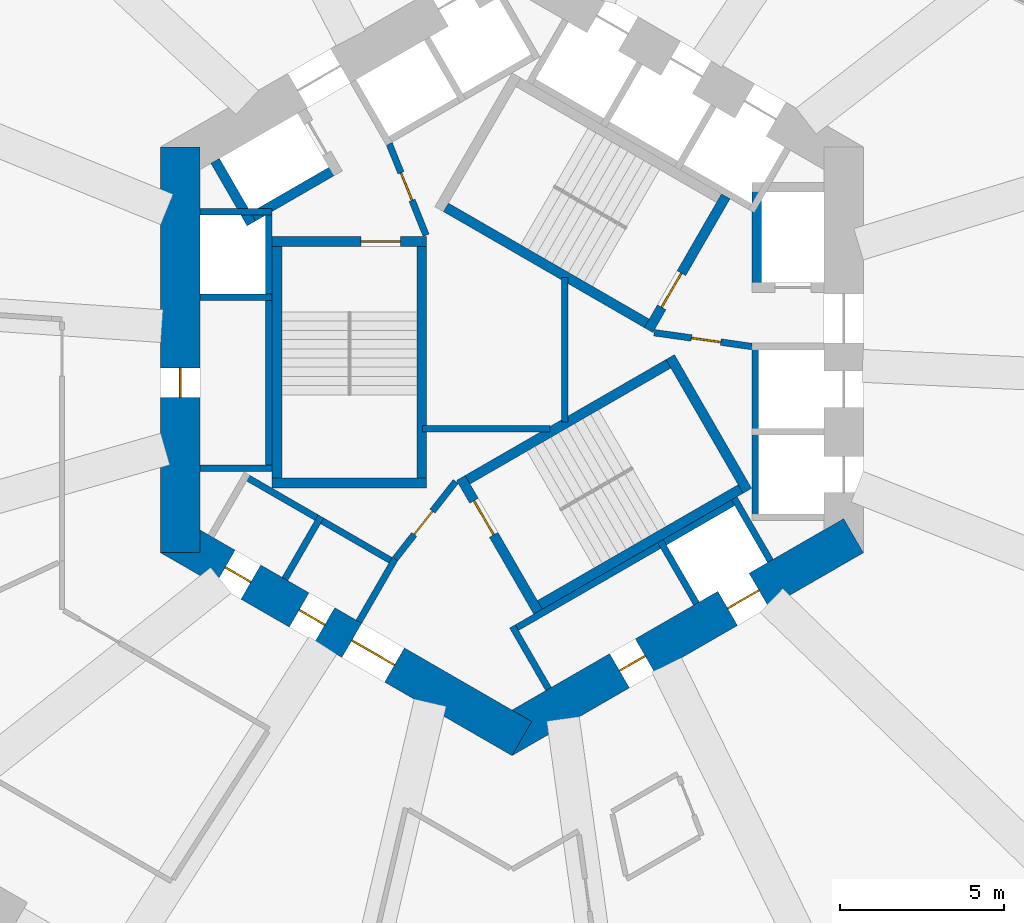
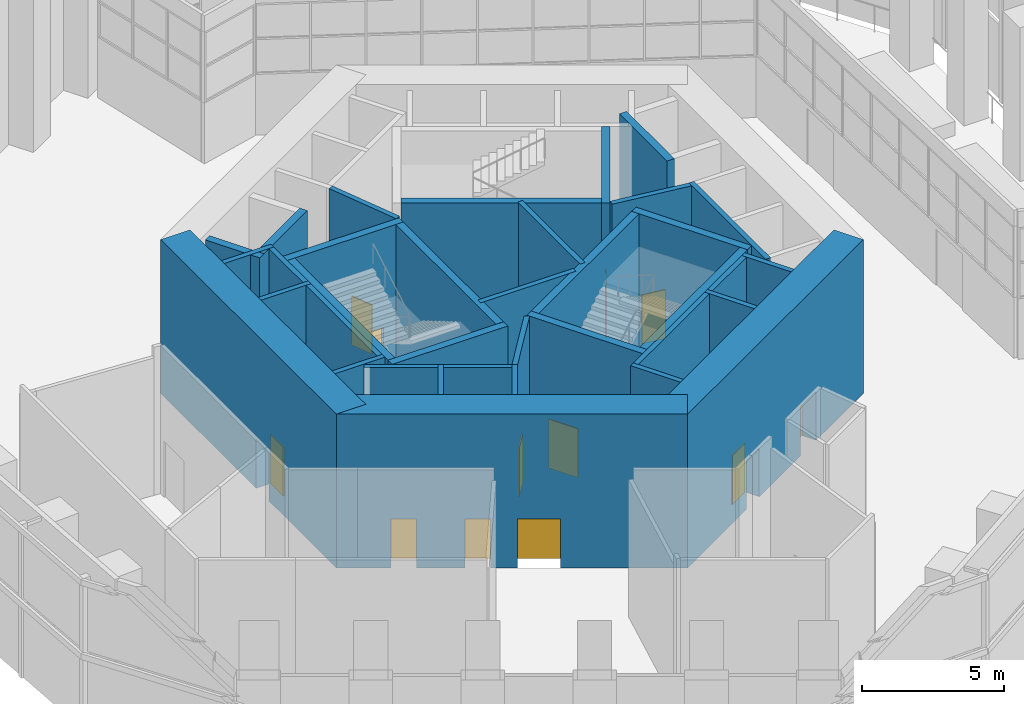
# One storey, part 9 of 17: 33 walls, 12 doors, 12 openings.
"""IFC4 building model written with IfcOpenShell, lengths in metres."""

from ifc_helpers import new_model, si_unit, direction, frame, frame_2d, origin, place, context, subcontext, project, spatial, rectangle, extrude, material, layer, layer_set, type_object, element, fill, save


model = new_model("IFC4")

# Units and contexts
model_context = context("Model", 3, precision=1e-05, world=origin(), true_north=direction((0.0, 1.0)))
body_context = subcontext(model_context, "Body", "Model", "MODEL_VIEW")
ifc_project = project(units=[si_unit("LENGTHUNIT", "METRE"), si_unit("AREAUNIT", "SQUARE_METRE"), si_unit("VOLUMEUNIT", "CUBIC_METRE"), si_unit("PLANEANGLEUNIT", "RADIAN"), si_unit("MASSUNIT", "GRAM", prefix="KILO")], contexts=[model_context])

# Site, building, storey
site_placement = place(None, origin())
site = spatial("IfcSite", under=ifc_project, at=site_placement, CompositionType="ELEMENT")
building_placement = place(site_placement, origin())
building = spatial("IfcBuilding", under=site, at=building_placement, Name="Vanh Sen Convention Tower", CompositionType="ELEMENT")
storey_placement = place(building_placement, frame((0.0, 0.0, 77.0)))
storey = spatial("IfcBuildingStorey", under=building, at=storey_placement, Name="L17", CompositionType="ELEMENT", Elevation=77.0)

# Wall, opening, door
ifc_material_1 = material(Name="Concrete C80/95", Category="concrete")
ifc_layer_1 = layer(ifc_material_1, 1.199951171875)
ifc_layer_set_1 = layer_set([ifc_layer_1], Name="Concrete C80/95")
wall_type_1 = type_object("IfcWallType", Name="Core outer wall 1200 C80/95", PredefinedType="SHEAR", material=ifc_layer_set_1)
wall_1_placement = place(storey_placement, frame((-10.10009765625, 6.177490234375, 0.0), z_axis=(0.0, 0.0, 1.0), x_axis=(0.0, -1.0, 0.0)))
wall_1 = element("IfcWall", 1, at=wall_1_placement, inside=storey, type_object=wall_type_1, Name="Core wall face W L17", PredefinedType="SHEAR", context=body_context, shape_type="SweptSolid", body=[
    extrude(rectangle(XDim=12.35498046875, YDim=1.199951171875, at=frame_2d((6.177490234375, 0.0))), origin(), (0.0, 0.0, 1.0), 6.60009765625),
])
opening_1_placement = place(wall_1_placement, frame((6.7275390625, 0.0, 0.0)))
opening_1 = element("IfcOpeningElement", 2, at=opening_1_placement, cuts=wall_1, Name="Opening D17010", PredefinedType="OPENING", context=body_context, shape_type="SweptSolid", body=[
    extrude(rectangle(XDim=0.89990234375, YDim=2.10009765625, at=frame_2d((0.449951171875, 1.050048828125))), frame((0.0, 0.60986328125, 0.0), z_axis=(0.0, -1.0, 0.0), x_axis=(1.0, 0.0, 0.0)), (0.0, 0.0, 1.0), 1.219970703125),
])
ifc_material_2 = material(Name="Steel S355", Category="steel")
door_type_1 = type_object("IfcDoorType", Name="Plant door 900", OperationType="SINGLE_SWING_LEFT", PredefinedType="DOOR", material=ifc_material_2)
door_1_placement = place(opening_1_placement, origin())
door_1 = element("IfcDoor", 3, at=door_1_placement, inside=storey, type_object=door_type_1, Name="Plant door D17010", OperationType="SINGLE_SWING_LEFT", OverallHeight=2.10009765625, OverallWidth=0.89990234375, PredefinedType="DOOR", context=body_context, shape_type="SweptSolid", body=[
    extrude(rectangle(XDim=0.89990234375, YDim=2.10009765625, at=frame_2d((0.449951171875, 1.050048828125))), frame((0.0, 0.02490234375, 0.0), z_axis=(0.0, -1.0, 0.0), x_axis=(1.0, 0.0, 0.0)), (0.0, 0.0, 1.0), 0.050048828125),
])
fill(opening_1, door_1)

# Wall, openings, doors
wall_2_placement = place(storey_placement, frame((-10.39990234375, -5.657958984375, 0.0), z_axis=(0.0, 0.0, 1.0), x_axis=(0.866021384402, -0.500006961711, 0.0)))
wall_2 = element("IfcWall", 4, at=wall_2_placement, inside=storey, type_object=wall_type_1, Name="Core wall face SW L17", PredefinedType="SHEAR", context=body_context, shape_type="SweptSolid", body=[
    extrude(rectangle(XDim=12.355224609375, YDim=1.199951171875, at=frame_2d((6.177734375, 0.0))), origin(), (0.0, 0.0, 1.0), 6.60009765625),
])
opening_2_placement = place(wall_2_placement, frame((6.377685546875, 0.0, 0.0)))
opening_2 = element("IfcOpeningElement", 5, at=opening_2_placement, cuts=wall_2, Name="Opening D17003", PredefinedType="OPENING", context=body_context, shape_type="SweptSolid", body=[
    extrude(rectangle(XDim=1.5, YDim=2.10009765625, at=frame_2d((0.75, 1.050048828125))), frame((0.0, 0.60986328125, 0.0), z_axis=(0.0, -1.0, 0.0), x_axis=(1.0, 0.0, 0.0)), (0.0, 0.0, 1.0), 1.219970703125),
])
opening_3_placement = place(wall_2_placement, frame((1.927734375, 0.0, 0.0)))
opening_3 = element("IfcOpeningElement", 6, at=opening_3_placement, cuts=wall_2, Name="Opening D17011", PredefinedType="OPENING", context=body_context, shape_type="SweptSolid", body=[
    extrude(rectangle(XDim=0.89990234375, YDim=2.10009765625, at=frame_2d((0.449951171875, 1.050048828125))), frame((0.0, 0.60986328125, 0.0), z_axis=(0.0, -1.0, 0.0), x_axis=(1.0, 0.0, 0.0)), (0.0, 0.0, 1.0), 1.219970703125),
])
opening_4_placement = place(wall_2_placement, frame((4.527587890625, 0.0, 0.0)))
opening_4 = element("IfcOpeningElement", 7, at=opening_4_placement, cuts=wall_2, Name="Opening D17012", PredefinedType="OPENING", context=body_context, shape_type="SweptSolid", body=[
    extrude(rectangle(XDim=0.89990234375, YDim=2.10009765625, at=frame_2d((0.449951171875, 1.050048828125))), frame((0.0, 0.60986328125, 0.0), z_axis=(0.0, -1.0, 0.0), x_axis=(1.0, 0.0, 0.0)), (0.0, 0.0, 1.0), 1.219970703125),
])
door_2_placement = place(opening_3_placement, origin())
door_2 = element("IfcDoor", 8, at=door_2_placement, inside=storey, type_object=door_type_1, Name="Plant door D17011", OperationType="SINGLE_SWING_LEFT", OverallHeight=2.10009765625, OverallWidth=0.89990234375, PredefinedType="DOOR", context=body_context, shape_type="SweptSolid", body=[
    extrude(rectangle(XDim=0.89990234375, YDim=2.10009765625, at=frame_2d((0.449951171875, 1.050048828125))), frame((0.0, 0.02490234375, 0.0), z_axis=(0.0, -1.0, 0.0), x_axis=(1.0, 0.0, 0.0)), (0.0, 0.0, 1.0), 0.050048828125),
])
fill(opening_3, door_2)
door_3_placement = place(opening_4_placement, origin())
door_3 = element("IfcDoor", 9, at=door_3_placement, inside=storey, type_object=door_type_1, Name="Plant door D17012", OperationType="SINGLE_SWING_LEFT", OverallHeight=2.10009765625, OverallWidth=0.89990234375, PredefinedType="DOOR", context=body_context, shape_type="SweptSolid", body=[
    extrude(rectangle(XDim=0.89990234375, YDim=2.10009765625, at=frame_2d((0.449951171875, 1.050048828125))), frame((0.0, 0.02490234375, 0.0), z_axis=(0.0, -1.0, 0.0), x_axis=(1.0, 0.0, 0.0)), (0.0, 0.0, 1.0), 0.050048828125),
])
fill(opening_4, door_3)
door_type_2 = type_object("IfcDoorType", Name="Stair lobby door 1500", OperationType="DOUBLE_DOOR_SINGLE_SWING", PredefinedType="DOOR", material=ifc_material_2)
door_4_placement = place(opening_2_placement, origin())
door_4 = element("IfcDoor", 10, at=door_4_placement, inside=storey, type_object=door_type_2, Name="Stair lobby door D17003", OperationType="DOUBLE_DOOR_SINGLE_SWING", OverallHeight=2.10009765625, OverallWidth=1.5, PredefinedType="DOOR", context=body_context, shape_type="SweptSolid", body=[
    extrude(rectangle(XDim=1.5, YDim=2.10009765625, at=frame_2d((0.75, 1.050048828125))), frame((0.0, 0.02490234375, 0.0), z_axis=(0.0, -1.0, 0.0), x_axis=(1.0, 0.0, 0.0)), (0.0, 0.0, 1.0), 0.050048828125),
])
fill(opening_2, door_4)

wall_3_placement = place(storey_placement, frame((-0.300048828125, -11.835693359375, 0.0), z_axis=(0.0, 0.0, 1.0), x_axis=(0.866021384402, 0.500006961711, 0.0)))
wall_3 = element("IfcWall", 11, at=wall_3_placement, inside=storey, type_object=wall_type_1, Name="Core wall face SE L17", PredefinedType="SHEAR", context=body_context, shape_type="SweptSolid", body=[
    extrude(rectangle(XDim=12.355224609375, YDim=1.199951171875, at=frame_2d((6.177734375, 0.0))), origin(), (0.0, 0.0, 1.0), 6.60009765625),
])
opening_5_placement = place(wall_3_placement, frame((4.127685546875, 0.0, 0.0)))
opening_5 = element("IfcOpeningElement", 12, at=opening_5_placement, cuts=wall_3, Name="Opening D17013", PredefinedType="OPENING", context=body_context, shape_type="SweptSolid", body=[
    extrude(rectangle(XDim=0.89990234375, YDim=2.10009765625, at=frame_2d((0.449951171875, 1.050048828125))), frame((0.0, 0.60986328125, 0.0), z_axis=(0.0, -1.0, 0.0), x_axis=(1.0, 0.0, 0.0)), (0.0, 0.0, 1.0), 1.219970703125),
])
opening_6_placement = place(wall_3_placement, frame((7.927734375, 0.0, 0.0)))
opening_6 = element("IfcOpeningElement", 13, at=opening_6_placement, cuts=wall_3, Name="Opening LD-SV1", PredefinedType="OPENING", context=body_context, shape_type="SweptSolid", body=[
    extrude(rectangle(XDim=1.10009765625, YDim=2.10009765625, at=frame_2d((0.550048828125, 1.050048828125))), frame((0.0, 0.60986328125, 0.0), z_axis=(0.0, -1.0, 0.0), x_axis=(1.0, 0.0, 0.0)), (0.0, 0.0, 1.0), 1.219970703125),
])
ifc_material_3 = material(Name="Stainless steel", Category="steel")
door_type_3 = type_object("IfcDoorType", Name="Lift landing door 1100", OperationType="DOUBLE_DOOR_SLIDING", PredefinedType="DOOR", material=ifc_material_3)
door_5_placement = place(opening_6_placement, origin())
door_5 = element("IfcDoor", 14, at=door_5_placement, inside=storey, type_object=door_type_3, Name="Lift SV1 landing door LD-SV1", OperationType="DOUBLE_DOOR_SLIDING", OverallHeight=2.10009765625, OverallWidth=1.10009765625, PredefinedType="DOOR", context=body_context, shape_type="SweptSolid", body=[
    extrude(rectangle(XDim=1.10009765625, YDim=2.10009765625, at=frame_2d((0.550048828125, 1.050048828125))), frame((0.0, 0.02490234375, 0.0), z_axis=(0.0, -1.0, 0.0), x_axis=(1.0, 0.0, 0.0)), (0.0, 0.0, 1.0), 0.050048828125),
])
fill(opening_6, door_5)
door_6_placement = place(opening_5_placement, origin())
door_6 = element("IfcDoor", 15, at=door_6_placement, inside=storey, type_object=door_type_1, Name="Plant door D17013", OperationType="SINGLE_SWING_LEFT", OverallHeight=2.10009765625, OverallWidth=0.89990234375, PredefinedType="DOOR", context=body_context, shape_type="SweptSolid", body=[
    extrude(rectangle(XDim=0.89990234375, YDim=2.10009765625, at=frame_2d((0.449951171875, 1.050048828125))), frame((0.0, 0.02490234375, 0.0), z_axis=(0.0, -1.0, 0.0), x_axis=(1.0, 0.0, 0.0)), (0.0, 0.0, 1.0), 0.050048828125),
])
fill(opening_5, door_6)

# Walls
ifc_material_4 = material(Name="Masonry blockwork", Category="masonry")
ifc_layer_2 = layer(ifc_material_4, 0.199951171875)
ifc_layer_set_2 = layer_set([ifc_layer_2], Name="Masonry blockwork")
wall_type_2 = type_object("IfcWallType", Name="Core partition 200", PredefinedType="PARTITIONING", material=ifc_layer_set_2)
wall_4_placement = place(storey_placement, frame((-2.719970703125, -2.39990234375, 0.0), z_axis=(0.0, 0.0, 1.0), x_axis=(1.0, 0.0, 0.0)))
element("IfcWall", 16, at=wall_4_placement, inside=storey, type_object=wall_type_2, Name="Core partition L17", PredefinedType="PARTITIONING", context=body_context, shape_type="SweptSolid", body=[
    extrude(rectangle(XDim=3.883056640625, YDim=0.199951171875, at=frame_2d((1.94140625, 0.0))), origin(), (0.0, 0.0, 1.0), 6.35009765625),
])
wall_5_placement = place(storey_placement, frame((1.60009765625, -2.198486328125, 0.0), z_axis=(0.0, 0.0, 1.0), x_axis=(0.0, 1.0, 0.0)))
element("IfcWall", 17, at=wall_5_placement, inside=storey, type_object=wall_type_2, Name="Core partition L17", PredefinedType="PARTITIONING", context=body_context, shape_type="SweptSolid", body=[
    extrude(rectangle(XDim=4.39697265625, YDim=0.199951171875, at=frame_2d((2.198486328125, 0.0))), origin(), (0.0, 0.0, 1.0), 6.35009765625),
])
ifc_material_5 = material(Name="Concrete C60/75", Category="concrete")
ifc_layer_3 = layer(ifc_material_5, 0.300048828125)
ifc_layer_set_3 = layer_set([ifc_layer_3], Name="Concrete C60/75")
wall_type_3 = type_object("IfcWallType", Name="Fire-fighting lift shaft wall 300", PredefinedType="SHEAR", material=ifc_layer_set_3)
wall_6_placement = place(storey_placement, frame((7.449951171875, 1.75, 0.0), z_axis=(0.0, 0.0, 1.0), x_axis=(0.0, 1.0, 0.0)))
element("IfcWall", 18, at=wall_6_placement, inside=storey, type_object=wall_type_3, Name="Fire-fighting lift shaft wall L17", PredefinedType="SHEAR", context=body_context, shape_type="SweptSolid", body=[
    extrude(rectangle(XDim=3.35009765625, YDim=0.300048828125, at=frame_2d((1.675048828125, 0.0))), origin(), (0.0, 0.0, 1.0), 6.35009765625),
])
wall_7_placement = place(storey_placement, frame((-5.240478515625, 5.576904296875, 0.0), z_axis=(0.0, 0.0, 1.0), x_axis=(-0.866014461049, -0.500018952895, 0.0)))
element("IfcWall", 19, at=wall_7_placement, inside=storey, type_object=wall_type_3, Name="Fire-fighting lift shaft wall L17", PredefinedType="SHEAR", context=body_context, shape_type="SweptSolid", body=[
    extrude(rectangle(XDim=3.349853515625, YDim=0.300048828125, at=frame_2d((1.6748046875, 0.0))), origin(), (0.0, 0.0, 1.0), 6.35009765625),
])
wall_8_placement = place(storey_placement, frame((-7.936767578125, 3.846923828125, 0.0), z_axis=(0.0, 0.0, 1.0), x_axis=(-0.50002983664, 0.866008176907, 0.0)))
element("IfcWall", 20, at=wall_8_placement, inside=storey, type_object=wall_type_3, Name="Fire-fighting lift shaft wall L17", PredefinedType="SHEAR", context=body_context, shape_type="SweptSolid", body=[
    extrude(rectangle(XDim=2.199951171875, YDim=0.300048828125, at=frame_2d((1.10009765625, 0.0))), origin(), (0.0, 0.0, 1.0), 6.35009765625),
])
ifc_material_6 = material(Name="Concrete C40/50", Category="concrete")
ifc_layer_4 = layer(ifc_material_6, 0.199951171875)
ifc_layer_set_4 = layer_set([ifc_layer_4], Name="Concrete C40/50")
wall_type_4 = type_object("IfcWallType", Name="Lift shaft wall 200", PredefinedType="PARTITIONING", material=ifc_layer_set_4)
wall_9_placement = place(storey_placement, frame((7.39990234375, -5.199951171875, 0.0), z_axis=(0.0, 0.0, 1.0), x_axis=(0.0, 1.0, 0.0)))
element("IfcWall", 21, at=wall_9_placement, inside=storey, type_object=wall_type_4, Name="Lift shaft wall L17", PredefinedType="PARTITIONING", context=body_context, shape_type="SweptSolid", body=[
    extrude(rectangle(XDim=5.39990234375, YDim=0.199951171875, at=frame_2d((2.699951171875, 0.0))), origin(), (0.0, 0.0, 1.0), 6.35009765625),
])
wall_10_placement = place(storey_placement, frame((-7.39990234375, 4.300048828125, 0.0), z_axis=(0.0, 0.0, 1.0), x_axis=(0.0, -1.0, 0.0)))
element("IfcWall", 22, at=wall_10_placement, inside=storey, type_object=wall_type_4, Name="Lift shaft wall L17", PredefinedType="PARTITIONING", context=body_context, shape_type="SweptSolid", body=[
    extrude(rectangle(XDim=8.0, YDim=0.199951171875, at=frame_2d((4.0, 0.0))), origin(), (0.0, 0.0, 1.0), 6.35009765625),
])
for number, where, z_axis, x_axis, name in (
    (23, (-7.300048828125, 4.199951171875, 0.0), (0.0, 0.0, 1.0), (-1.0, 0.0, 0.0), "Lift shaft wall L17"),
    (24, (-7.300048828125, 1.60009765625, 0.0), (0.0, 0.0, 1.0), (-1.0, 0.0, 0.0), "Lift shaft wall L17"),
    (25, (-7.300048828125, -3.60009765625, 0.0), (0.0, 0.0, 1.0), (-1.0, 0.0, 0.0), "Lift shaft wall L17"),
):
    element("IfcWall", number, at=place(storey_placement, frame(where, z_axis=z_axis, x_axis=x_axis)), inside=storey, type_object=wall_type_4, Name=name, PredefinedType="PARTITIONING", context=body_context, shape_type="SweptSolid", body=[
        extrude(rectangle(XDim=2.199951171875, YDim=0.199951171875, at=frame_2d((1.10009765625, 0.0))), origin(), (0.0, 0.0, 1.0), 6.35009765625),
    ])
wall_11_placement = place(storey_placement, frame((-8.203369140625, -3.80859375, 0.0), z_axis=(0.0, 0.0, 1.0), x_axis=(0.866028230842, -0.499995103361, 0.0)))
element("IfcWall", 26, at=wall_11_placement, inside=storey, type_object=wall_type_4, Name="Lift shaft wall L17", PredefinedType="PARTITIONING", context=body_context, shape_type="SweptSolid", body=[
    extrude(rectangle(XDim=5.39990234375, YDim=0.199951171875, at=frame_2d((2.699951171875, 0.0))), origin(), (0.0, 0.0, 1.0), 6.35009765625),
])
wall_12_placement = place(storey_placement, frame((-5.815185546875, -5.072021484375, 0.0), z_axis=(0.0, 0.0, 1.0), x_axis=(-0.499946605688, -0.86605622881, 0.0)))
element("IfcWall", 27, at=wall_12_placement, inside=storey, type_object=wall_type_4, Name="Lift shaft wall L17", PredefinedType="PARTITIONING", context=body_context, shape_type="SweptSolid", body=[
    extrude(rectangle(XDim=2.199951171875, YDim=0.199951171875, at=frame_2d((1.10009765625, 0.0))), origin(), (0.0, 0.0, 1.0), 6.35009765625),
])
wall_13_placement = place(storey_placement, frame((-3.5634765625, -6.3720703125, 0.0), z_axis=(0.0, 0.0, 1.0), x_axis=(-0.499994660107, -0.866028486751, 0.0)))
element("IfcWall", 28, at=wall_13_placement, inside=storey, type_object=wall_type_4, Name="Lift shaft wall L17", PredefinedType="PARTITIONING", context=body_context, shape_type="SweptSolid", body=[
    extrude(rectangle(XDim=2.19970703125, YDim=0.199951171875, at=frame_2d((1.099853515625, 0.0))), origin(), (0.0, 0.0, 1.0), 6.35009765625),
])
wall_14_placement = place(storey_placement, frame((-0.02392578125, -8.55859375, 0.0), z_axis=(0.0, 0.0, 1.0), x_axis=(0.866026010844, 0.49999894854, 0.0)))
element("IfcWall", 29, at=wall_14_placement, inside=storey, type_object=wall_type_4, Name="Lift shaft wall L17", PredefinedType="PARTITIONING", context=body_context, shape_type="SweptSolid", body=[
    extrude(rectangle(XDim=8.0, YDim=0.199951171875, at=frame_2d((4.0, 0.0))), origin(), (0.0, 0.0, 1.0), 6.35009765625),
])
for number, where, z_axis, x_axis, name in (
    (30, (0.0126953125, -8.422119140625, 0.0), (0.0, 0.0, 1.0), (0.500077893725, -0.86598042715, 0.0), "Lift shaft wall L17"),
    (31, (4.51611328125, -5.822021484375, 0.0), (0.0, 0.0, 1.0), (0.499946605688, -0.86605622881, 0.0), "Lift shaft wall L17"),
    (32, (6.767578125, -4.52197265625, 0.0), (0.0, 0.0, 1.0), (0.50002983664, -0.866008176907, 0.0), "Lift shaft wall L17"),
):
    element("IfcWall", number, at=place(storey_placement, frame(where, z_axis=z_axis, x_axis=x_axis)), inside=storey, type_object=wall_type_4, Name=name, PredefinedType="PARTITIONING", context=body_context, shape_type="SweptSolid", body=[
        extrude(rectangle(XDim=2.199951171875, YDim=0.199951171875, at=frame_2d((1.10009765625, 0.0))), origin(), (0.0, 0.0, 1.0), 6.35009765625),
    ])

# Wall, opening, door
ifc_layer_5 = layer(ifc_material_6, 0.199951171875)
ifc_layer_set_5 = layer_set([ifc_layer_5], Name="Concrete C40/50")
wall_type_5 = type_object("IfcWallType", Name="Stair lobby wall 200", PredefinedType="PARTITIONING", material=ifc_layer_set_5)
wall_15_placement = place(storey_placement, frame((4.327392578125, 0.52099609375, 0.0), z_axis=(0.0, 0.0, 1.0), x_axis=(0.990124376366, -0.14019172346, 0.0)))
wall_15 = element("IfcWall", 33, at=wall_15_placement, inside=storey, type_object=wall_type_5, Name="Stair lobby wall L17", PredefinedType="PARTITIONING", context=body_context, shape_type="SweptSolid", body=[
    extrude(rectangle(XDim=3.002197265625, YDim=0.199951171875, at=frame_2d((1.5009765625, 0.0))), origin(), (0.0, 0.0, 1.0), 6.35009765625),
])
opening_7_placement = place(wall_15_placement, frame((1.14990234375, 0.0, 0.0)))
opening_7 = element("IfcOpeningElement", 34, at=opening_7_placement, cuts=wall_15, Name="Opening D17007", PredefinedType="OPENING", context=body_context, shape_type="SweptSolid", body=[
    extrude(rectangle(XDim=0.89990234375, YDim=2.10009765625, at=frame_2d((0.449951171875, 1.050048828125))), frame((0.0, 0.10986328125, 0.0), z_axis=(0.0, -1.0, 0.0), x_axis=(1.0, 0.0, 0.0)), (0.0, 0.0, 1.0), 0.219970703125),
])
door_7_placement = place(opening_7_placement, origin())
door_7 = element("IfcDoor", 35, at=door_7_placement, inside=storey, type_object=door_type_1, Name="Plant door D17007", OperationType="SINGLE_SWING_LEFT", OverallHeight=2.10009765625, OverallWidth=0.89990234375, PredefinedType="DOOR", context=body_context, shape_type="SweptSolid", body=[
    extrude(rectangle(XDim=0.89990234375, YDim=2.10009765625, at=frame_2d((0.449951171875, 1.050048828125))), frame((0.0, 0.02490234375, 0.0), z_axis=(0.0, -1.0, 0.0), x_axis=(1.0, 0.0, 0.0)), (0.0, 0.0, 1.0), 0.050048828125),
])
fill(opening_7, door_7)

wall_16_placement = place(storey_placement, frame((-2.614990234375, 3.487060546875, 0.0), z_axis=(0.0, 0.0, 1.0), x_axis=(-0.373576831041, 0.92759924068, 0.0)))
wall_16 = element("IfcWall", 36, at=wall_16_placement, inside=storey, type_object=wall_type_5, Name="Stair lobby wall L17", PredefinedType="PARTITIONING", context=body_context, shape_type="SweptSolid", body=[
    extrude(rectangle(XDim=3.002197265625, YDim=0.199951171875, at=frame_2d((1.5009765625, 0.0))), origin(), (0.0, 0.0, 1.0), 6.35009765625),
])
opening_8_placement = place(wall_16_placement, frame((1.14990234375, 0.0, 0.0)))
opening_8 = element("IfcOpeningElement", 37, at=opening_8_placement, cuts=wall_16, Name="Opening D17008", PredefinedType="OPENING", context=body_context, shape_type="SweptSolid", body=[
    extrude(rectangle(XDim=0.89990234375, YDim=2.10009765625, at=frame_2d((0.449951171875, 1.050048828125))), frame((0.0, 0.10986328125, 0.0), z_axis=(0.0, -1.0, 0.0), x_axis=(1.0, 0.0, 0.0)), (0.0, 0.0, 1.0), 0.219970703125),
])
door_8_placement = place(opening_8_placement, origin())
door_8 = element("IfcDoor", 38, at=door_8_placement, inside=storey, type_object=door_type_1, Name="Plant door D17008", OperationType="SINGLE_SWING_LEFT", OverallHeight=2.10009765625, OverallWidth=0.89990234375, PredefinedType="DOOR", context=body_context, shape_type="SweptSolid", body=[
    extrude(rectangle(XDim=0.89990234375, YDim=2.10009765625, at=frame_2d((0.449951171875, 1.050048828125))), frame((0.0, 0.02490234375, 0.0), z_axis=(0.0, -1.0, 0.0), x_axis=(1.0, 0.0, 0.0)), (0.0, 0.0, 1.0), 0.050048828125),
])
fill(opening_8, door_8)

wall_17_placement = place(storey_placement, frame((-1.71240234375, -4.00830078125, 0.0), z_axis=(0.0, 0.0, 1.0), x_axis=(-0.616549420702, -0.787316208287, 0.0)))
wall_17 = element("IfcWall", 39, at=wall_17_placement, inside=storey, type_object=wall_type_5, Name="Stair lobby wall L17", PredefinedType="PARTITIONING", context=body_context, shape_type="SweptSolid", body=[
    extrude(rectangle(XDim=3.002197265625, YDim=0.199951171875, at=frame_2d((1.5009765625, 0.0))), origin(), (0.0, 0.0, 1.0), 6.35009765625),
])
opening_9_placement = place(wall_17_placement, frame((1.14990234375, 0.0, 0.0)))
opening_9 = element("IfcOpeningElement", 40, at=opening_9_placement, cuts=wall_17, Name="Opening D17009", PredefinedType="OPENING", context=body_context, shape_type="SweptSolid", body=[
    extrude(rectangle(XDim=0.89990234375, YDim=2.10009765625, at=frame_2d((0.449951171875, 1.050048828125))), frame((0.0, 0.10986328125, 0.0), z_axis=(0.0, -1.0, 0.0), x_axis=(1.0, 0.0, 0.0)), (0.0, 0.0, 1.0), 0.219970703125),
])
door_9_placement = place(opening_9_placement, origin())
door_9 = element("IfcDoor", 41, at=door_9_placement, inside=storey, type_object=door_type_1, Name="Plant door D17009", OperationType="SINGLE_SWING_LEFT", OverallHeight=2.10009765625, OverallWidth=0.89990234375, PredefinedType="DOOR", context=body_context, shape_type="SweptSolid", body=[
    extrude(rectangle(XDim=0.89990234375, YDim=2.10009765625, at=frame_2d((0.449951171875, 1.050048828125))), frame((0.0, 0.02490234375, 0.0), z_axis=(0.0, -1.0, 0.0), x_axis=(1.0, 0.0, 0.0)), (0.0, 0.0, 1.0), 0.050048828125),
])
fill(opening_9, door_9)

ifc_layer_6 = layer(ifc_material_5, 0.300048828125)
ifc_layer_set_6 = layer_set([ifc_layer_6], Name="Concrete C60/75")
wall_type_6 = type_object("IfcWallType", Name="Stair wall 300", PredefinedType="SHEAR", material=ifc_layer_set_6)
wall_18_placement = place(storey_placement, frame((4.157958984375, 0.601806640625, 0.0), z_axis=(0.0, 0.0, 1.0), x_axis=(0.499977259774, 0.866038532462, 0.0)))
wall_18 = element("IfcWall", 42, at=wall_18_placement, inside=storey, type_object=wall_type_6, Name="Stair wall L17", PredefinedType="SHEAR", context=body_context, shape_type="SweptSolid", body=[
    extrude(rectangle(XDim=4.699951171875, YDim=0.300048828125, at=frame_2d((2.35009765625, 0.0))), origin(), (0.0, 0.0, 1.0), 6.35009765625),
])
opening_10_placement = place(wall_18_placement, frame((0.800048828125, 0.0, 0.0)))
opening_10 = element("IfcOpeningElement", 43, at=opening_10_placement, cuts=wall_18, Name="Opening D17004", PredefinedType="OPENING", context=body_context, shape_type="SweptSolid", body=[
    extrude(rectangle(XDim=1.199951171875, YDim=2.10009765625, at=frame_2d((0.60009765625, 1.050048828125))), frame((0.0, 0.159912109375, 0.0), z_axis=(0.0, -1.0, 0.0), x_axis=(1.0, 0.0, 0.0)), (0.0, 0.0, 1.0), 0.320068359375),
])
door_type_4 = type_object("IfcDoorType", Name="Stair door 1200", OperationType="SINGLE_SWING_RIGHT", PredefinedType="DOOR", material=ifc_material_2)
door_10_placement = place(opening_10_placement, origin())
door_10 = element("IfcDoor", 44, at=door_10_placement, inside=storey, type_object=door_type_4, Name="Stair ST1 door D17004", OperationType="SINGLE_SWING_RIGHT", OverallHeight=2.10009765625, OverallWidth=1.199951171875, PredefinedType="DOOR", context=body_context, shape_type="SweptSolid", body=[
    extrude(rectangle(XDim=1.199951171875, YDim=2.10009765625, at=frame_2d((0.60009765625, 1.050048828125))), frame((0.0, 0.02490234375, 0.0), z_axis=(0.0, -1.0, 0.0), x_axis=(1.0, 0.0, 0.0)), (0.0, 0.0, 1.0), 0.050048828125),
])
fill(opening_10, door_10)

# Wall
wall_19_placement = place(storey_placement, frame((4.10302734375, 0.806640625, 0.0), z_axis=(0.0, 0.0, 1.0), x_axis=(-0.866027801685, 0.499995846692, 0.0)))
element("IfcWall", 45, at=wall_19_placement, inside=storey, type_object=wall_type_6, Name="Stair wall L17", PredefinedType="SHEAR", context=body_context, shape_type="SweptSolid", body=[
    extrude(rectangle(XDim=7.06005859375, YDim=0.300048828125, at=frame_2d((3.530029296875, 0.0))), origin(), (0.0, 0.0, 1.0), 6.35009765625),
])

# Wall, opening, door
wall_20_placement = place(storey_placement, frame((-2.60009765625, 3.300048828125, 0.0), z_axis=(0.0, 0.0, 1.0), x_axis=(-1.0, 0.0, 0.0)))
wall_20 = element("IfcWall", 46, at=wall_20_placement, inside=storey, type_object=wall_type_6, Name="Stair wall L17", PredefinedType="SHEAR", context=body_context, shape_type="SweptSolid", body=[
    extrude(rectangle(XDim=4.699951171875, YDim=0.300048828125, at=frame_2d((2.35009765625, 0.0))), origin(), (0.0, 0.0, 1.0), 6.35009765625),
])
opening_11_placement = place(wall_20_placement, frame((0.800048828125, 0.0, 0.0)))
opening_11 = element("IfcOpeningElement", 47, at=opening_11_placement, cuts=wall_20, Name="Opening D17005", PredefinedType="OPENING", context=body_context, shape_type="SweptSolid", body=[
    extrude(rectangle(XDim=1.199951171875, YDim=2.10009765625, at=frame_2d((0.60009765625, 1.050048828125))), frame((0.0, 0.159912109375, 0.0), z_axis=(0.0, -1.0, 0.0), x_axis=(1.0, 0.0, 0.0)), (0.0, 0.0, 1.0), 0.320068359375),
])
door_11_placement = place(opening_11_placement, origin())
door_11 = element("IfcDoor", 48, at=door_11_placement, inside=storey, type_object=door_type_4, Name="Stair ST2 door D17005", OperationType="SINGLE_SWING_RIGHT", OverallHeight=2.10009765625, OverallWidth=1.199951171875, PredefinedType="DOOR", context=body_context, shape_type="SweptSolid", body=[
    extrude(rectangle(XDim=1.199951171875, YDim=2.10009765625, at=frame_2d((0.60009765625, 1.050048828125))), frame((0.0, 0.02490234375, 0.0), z_axis=(0.0, -1.0, 0.0), x_axis=(1.0, 0.0, 0.0)), (0.0, 0.0, 1.0), 0.050048828125),
])
fill(opening_11, door_11)

# Walls
wall_21_placement = place(storey_placement, frame((-2.60009765625, -4.06005859375, 0.0), z_axis=(0.0, 0.0, 1.0), x_axis=(-1.0, 0.0, 0.0)))
element("IfcWall", 49, at=wall_21_placement, inside=storey, type_object=wall_type_6, Name="Stair wall L17", PredefinedType="SHEAR", context=body_context, shape_type="SweptSolid", body=[
    extrude(rectangle(XDim=4.699951171875, YDim=0.300048828125, at=frame_2d((2.35009765625, 0.0))), origin(), (0.0, 0.0, 1.0), 6.35009765625),
])
for number, where, z_axis, x_axis, name in (
    (50, (-2.75, 3.14990234375, 0.0), (0.0, 0.0, 1.0), (0.0, -1.0, 0.0), "Stair wall L17"),
    (51, (-7.14990234375, 3.14990234375, 0.0), (0.0, 0.0, 1.0), (0.0, -1.0, 0.0), "Stair wall L17"),
):
    element("IfcWall", number, at=place(storey_placement, frame(where, z_axis=z_axis, x_axis=x_axis)), inside=storey, type_object=wall_type_6, Name=name, PredefinedType="SHEAR", context=body_context, shape_type="SweptSolid", body=[
        extrude(rectangle(XDim=7.059814453125, YDim=0.300048828125, at=frame_2d((3.52978515625, 0.0))), origin(), (0.0, 0.0, 1.0), 6.35009765625),
    ])

# Wall, opening, door
wall_22_placement = place(storey_placement, frame((-1.557861328125, -3.901611328125, 0.0), z_axis=(0.0, 0.0, 1.0), x_axis=(0.499977259774, -0.866038532462, 0.0)))
wall_22 = element("IfcWall", 52, at=wall_22_placement, inside=storey, type_object=wall_type_6, Name="Stair wall L17", PredefinedType="SHEAR", context=body_context, shape_type="SweptSolid", body=[
    extrude(rectangle(XDim=4.699951171875, YDim=0.300048828125, at=frame_2d((2.35009765625, 0.0))), origin(), (0.0, 0.0, 1.0), 6.35009765625),
])
opening_12_placement = place(wall_22_placement, frame((0.800048828125, 0.0, 0.0)))
opening_12 = element("IfcOpeningElement", 53, at=opening_12_placement, cuts=wall_22, Name="Opening D17006", PredefinedType="OPENING", context=body_context, shape_type="SweptSolid", body=[
    extrude(rectangle(XDim=1.199951171875, YDim=2.10009765625, at=frame_2d((0.60009765625, 1.050048828125))), frame((0.0, 0.159912109375, 0.0), z_axis=(0.0, -1.0, 0.0), x_axis=(1.0, 0.0, 0.0)), (0.0, 0.0, 1.0), 0.320068359375),
])
door_12_placement = place(opening_12_placement, origin())
door_12 = element("IfcDoor", 54, at=door_12_placement, inside=storey, type_object=door_type_4, Name="Stair ST3 door D17006", OperationType="SINGLE_SWING_RIGHT", OverallHeight=2.10009765625, OverallWidth=1.199951171875, PredefinedType="DOOR", context=body_context, shape_type="SweptSolid", body=[
    extrude(rectangle(XDim=1.199951171875, YDim=2.10009765625, at=frame_2d((0.60009765625, 1.050048828125))), frame((0.0, 0.02490234375, 0.0), z_axis=(0.0, -1.0, 0.0), x_axis=(1.0, 0.0, 0.0)), (0.0, 0.0, 1.0), 0.050048828125),
])
fill(opening_12, door_12)

# Walls
wall_23_placement = place(storey_placement, frame((4.816162109375, -0.2216796875, 0.0), z_axis=(0.0, 0.0, 1.0), x_axis=(0.499977259774, -0.866038532462, 0.0)))
element("IfcWall", 55, at=wall_23_placement, inside=storey, type_object=wall_type_6, Name="Stair wall L17", PredefinedType="SHEAR", context=body_context, shape_type="SweptSolid", body=[
    extrude(rectangle(XDim=4.699951171875, YDim=0.300048828125, at=frame_2d((2.35009765625, 0.0))), origin(), (0.0, 0.0, 1.0), 6.35009765625),
])
for number, where, z_axis, x_axis, name in (
    (56, (-1.35302734375, -3.95654296875, 0.0), (0.0, 0.0, 1.0), (0.866027801685, 0.499995846692, 0.0), "Stair wall L17"),
    (57, (0.846923828125, -7.76708984375, 0.0), (0.0, 0.0, 1.0), (0.866027801685, 0.499995846692, 0.0), "Stair wall L17"),
):
    element("IfcWall", number, at=place(storey_placement, frame(where, z_axis=z_axis, x_axis=x_axis)), inside=storey, type_object=wall_type_6, Name=name, PredefinedType="SHEAR", context=body_context, shape_type="SweptSolid", body=[
        extrude(rectangle(XDim=7.06005859375, YDim=0.300048828125, at=frame_2d((3.530029296875, 0.0))), origin(), (0.0, 0.0, 1.0), 6.35009765625),
    ])

save(model, "model.ifc")
